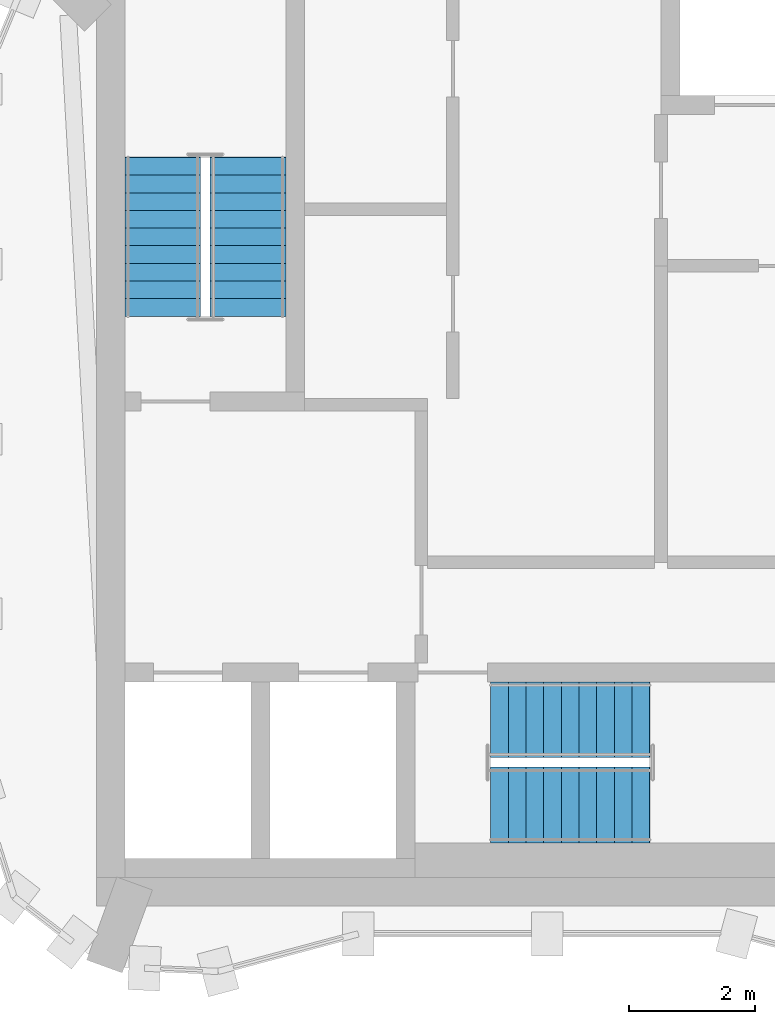
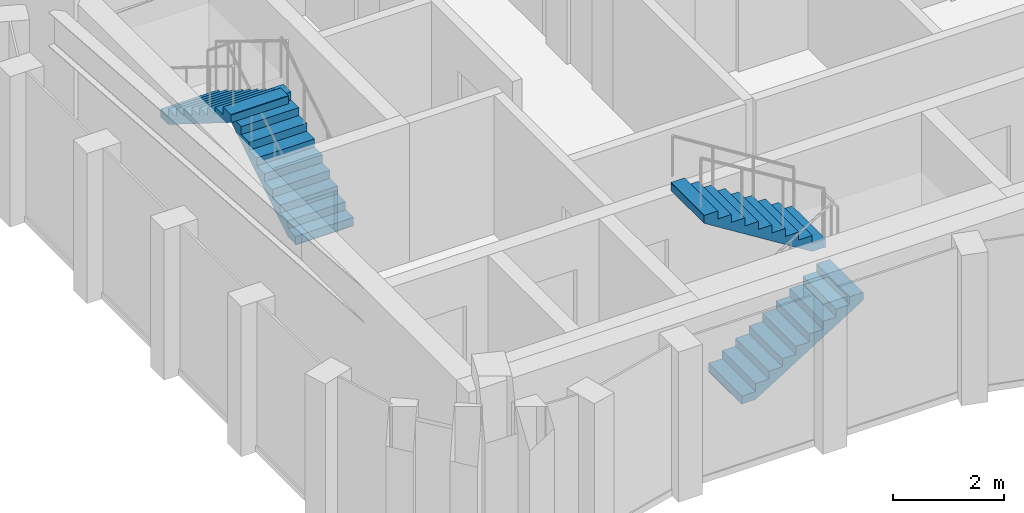
# One storey, part 5 of 6: 4 stair flights, 2 elements without a shape of their own.
"""IFC4 building model written with IfcOpenShell, lengths in metres."""

from ifc_helpers import new_model, si_unit, direction, frame, origin, place, context, subcontext, project, spatial, polyline, outline, extrude, material, type_object, element, aggregate, save


model = new_model("IFC4")

# Units and contexts
model_context = context("Model", 3, precision=1e-05, world=origin(), true_north=direction((0.0, 1.0)))
body_context = subcontext(model_context, "Body", "Model", "MODEL_VIEW")
ifc_project = project(units=[si_unit("LENGTHUNIT", "METRE"), si_unit("AREAUNIT", "SQUARE_METRE"), si_unit("VOLUMEUNIT", "CUBIC_METRE"), si_unit("PLANEANGLEUNIT", "RADIAN"), si_unit("MASSUNIT", "GRAM", prefix="KILO")], contexts=[model_context])

# Site, building, storey
site_placement = place(None, origin())
site = spatial("IfcSite", under=ifc_project, at=site_placement, CompositionType="ELEMENT")
building_placement = place(site_placement, origin())
building = spatial("IfcBuilding", under=site, at=building_placement, Name="Plateau Cross Towers", CompositionType="ELEMENT")
storey_placement = place(building_placement, frame((0.0, 0.0, 291.39990234375)))
storey = spatial("IfcBuildingStorey", under=building, at=storey_placement, Name="L77 Crown 1", CompositionType="ELEMENT", Elevation=291.39990234375)

# Stair, stair flights
ifc_material = material(Name="Concrete C40/50", Category="concrete")
stair_type = type_object("IfcStairType", Name="ST-TWR", PredefinedType="HALF_TURN_STAIR", material=ifc_material)
stair_1_placement = place(storey_placement, origin())
stair_1 = element("IfcStair", 1, at=stair_1_placement, inside=storey, type_object=stair_type, Name="L77 Crown 1 Protected Exit Stair ST-1", PredefinedType="HALF_TURN_STAIR")
stair_flight_type = type_object("IfcStairFlightType", Name="SFL-RC", PredefinedType="STRAIGHT", material=ifc_material)
stair_flight_1_placement = place(storey_placement, frame((4.25, 11.39990234375, 0.0), z_axis=(0.0, 0.0, 1.0), x_axis=(0.0, 1.0, 0.0)))
stair_flight_1 = element("IfcStairFlight", 2, at=stair_flight_1_placement, type_object=stair_flight_type, Name="ST-1 flight 1", NumberOfRisers=10, NumberOfTreads=9, PredefinedType="STRAIGHT", RiserHeight=0.175, TreadLength=0.28, context=body_context, shape_type="SweptSolid", body=[
    extrude(outline(polyline([(-0.0048828125, -0.010009765625), (-0.0048828125, 0.0), (0.0, 0.0), (0.0, 0.175048828125), (0.280029296875, 0.175048828125), (0.280029296875, 0.35009765625), (0.56005859375, 0.35009765625), (0.56005859375, 0.52490234375), (0.840087890625, 0.52490234375), (0.840087890625, 0.699951171875), (1.1201171875, 0.699951171875), (1.1201171875, 0.875), (1.39990234375, 0.875), (1.39990234375, 1.050048828125), (1.679931640625, 1.050048828125), (1.679931640625, 1.22509765625), (1.9599609375, 1.22509765625), (1.9599609375, 1.39990234375), (2.239990234375, 1.39990234375), (2.239990234375, 1.574951171875), (2.52001953125, 1.574951171875), (2.52490234375, 1.56494140625), (2.52490234375, 1.398193359375), (2.52001953125, 1.398193359375), (0.28271484375, 0.0), (0.02001953125, 0.0), (0.02001953125, -0.010009765625), (-0.0048828125, -0.010009765625)])), frame((0.0, 0.60009765625, 0.0), z_axis=(0.0, -1.0, 0.0), x_axis=(1.0, 0.0, 0.0)), (0.0, 0.0, 1.0), 1.199951171875),
])
stair_flight_2_placement = place(storey_placement, frame((2.89990234375, 13.919921875, 1.75), z_axis=(0.0, 0.0, 1.0), x_axis=(0.0, -1.0, 0.0)))
stair_flight_2 = element("IfcStairFlight", 3, at=stair_flight_2_placement, type_object=stair_flight_type, Name="ST-1 flight 2", NumberOfRisers=10, NumberOfTreads=9, PredefinedType="STRAIGHT", RiserHeight=0.175, TreadLength=0.28, context=body_context, shape_type="SweptSolid", body=[
    extrude(outline(polyline([(-0.0048828125, -0.010009765625), (-0.0048828125, 0.0), (0.0, 0.0), (0.0, 0.175048828125), (0.280029296875, 0.175048828125), (0.280029296875, 0.35009765625), (0.56005859375, 0.35009765625), (0.56005859375, 0.52490234375), (0.840087890625, 0.52490234375), (0.840087890625, 0.699951171875), (1.1201171875, 0.699951171875), (1.1201171875, 0.875), (1.39990234375, 0.875), (1.39990234375, 1.050048828125), (1.679931640625, 1.050048828125), (1.679931640625, 1.22509765625), (1.9599609375, 1.22509765625), (1.9599609375, 1.39990234375), (2.239990234375, 1.39990234375), (2.239990234375, 1.574951171875), (2.52001953125, 1.574951171875), (2.52490234375, 1.56494140625), (2.52490234375, 1.398193359375), (2.52001953125, 1.398193359375), (0.28271484375, 0.0), (0.02001953125, 0.0), (0.02001953125, -0.010009765625), (-0.0048828125, -0.010009765625)])), frame((0.0, 0.60009765625, 0.0), z_axis=(0.0, -1.0, 0.0), x_axis=(1.0, 0.0, 0.0)), (0.0, 0.0, 1.0), 1.199951171875),
])
aggregate(stair_1, [stair_flight_1, stair_flight_2])

stair_2_placement = place(storey_placement, origin())
stair_2 = element("IfcStair", 4, at=stair_2_placement, inside=storey, type_object=stair_type, Name="L77 Crown 1 Protected Exit Stair ST-2", PredefinedType="HALF_TURN_STAIR")
stair_flight_3_placement = place(storey_placement, frame((8.10009765625, 3.64990234375, 0.0), z_axis=(0.0, 0.0, 1.0), x_axis=(1.0, 0.0, 0.0)))
stair_flight_3 = element("IfcStairFlight", 5, at=stair_flight_3_placement, type_object=stair_flight_type, Name="ST-2 flight 1", NumberOfRisers=10, NumberOfTreads=9, PredefinedType="STRAIGHT", RiserHeight=0.175, TreadLength=0.28, context=body_context, shape_type="SweptSolid", body=[
    extrude(outline(polyline([(-0.0048828125, -0.010009765625), (-0.0048828125, 0.0), (0.0, 0.0), (0.0, 0.175048828125), (0.280029296875, 0.175048828125), (0.280029296875, 0.35009765625), (0.56005859375, 0.35009765625), (0.56005859375, 0.52490234375), (0.840087890625, 0.52490234375), (0.840087890625, 0.699951171875), (1.1201171875, 0.699951171875), (1.1201171875, 0.875), (1.39990234375, 0.875), (1.39990234375, 1.050048828125), (1.679931640625, 1.050048828125), (1.679931640625, 1.22509765625), (1.9599609375, 1.22509765625), (1.9599609375, 1.39990234375), (2.239990234375, 1.39990234375), (2.239990234375, 1.574951171875), (2.52001953125, 1.574951171875), (2.52490234375, 1.56494140625), (2.52490234375, 1.398193359375), (2.52001953125, 1.398193359375), (0.28271484375, 0.0), (0.02001953125, 0.0), (0.02001953125, -0.010009765625), (-0.0048828125, -0.010009765625)])), frame((0.0, 0.60009765625, 0.0), z_axis=(0.0, -1.0, 0.0), x_axis=(1.0, 0.0, 0.0)), (0.0, 0.0, 1.0), 1.199951171875),
])
stair_flight_4_placement = place(storey_placement, frame((10.6201171875, 5.0, 1.75), z_axis=(0.0, 0.0, 1.0), x_axis=(-1.0, 0.0, 0.0)))
stair_flight_4 = element("IfcStairFlight", 6, at=stair_flight_4_placement, type_object=stair_flight_type, Name="ST-2 flight 2", NumberOfRisers=10, NumberOfTreads=9, PredefinedType="STRAIGHT", RiserHeight=0.175, TreadLength=0.28, context=body_context, shape_type="SweptSolid", body=[
    extrude(outline(polyline([(-0.0048828125, -0.010009765625), (-0.0048828125, 0.0), (0.0, 0.0), (0.0, 0.175048828125), (0.280029296875, 0.175048828125), (0.280029296875, 0.35009765625), (0.56005859375, 0.35009765625), (0.56005859375, 0.52490234375), (0.840087890625, 0.52490234375), (0.840087890625, 0.699951171875), (1.1201171875, 0.699951171875), (1.1201171875, 0.875), (1.39990234375, 0.875), (1.39990234375, 1.050048828125), (1.679931640625, 1.050048828125), (1.679931640625, 1.22509765625), (1.9599609375, 1.22509765625), (1.9599609375, 1.39990234375), (2.239990234375, 1.39990234375), (2.239990234375, 1.574951171875), (2.52001953125, 1.574951171875), (2.52490234375, 1.56494140625), (2.52490234375, 1.398193359375), (2.52001953125, 1.398193359375), (0.28271484375, 0.0), (0.02001953125, 0.0), (0.02001953125, -0.010009765625), (-0.0048828125, -0.010009765625)])), frame((0.0, 0.60009765625, 0.0), z_axis=(0.0, -1.0, 0.0), x_axis=(1.0, 0.0, 0.0)), (0.0, 0.0, 1.0), 1.199951171875),
])
aggregate(stair_2, [stair_flight_3, stair_flight_4])

save(model, "model.ifc")
